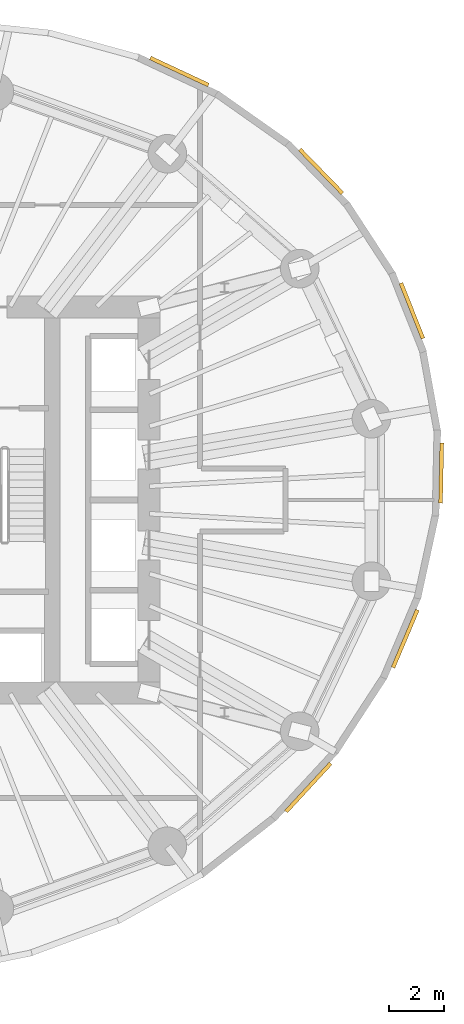
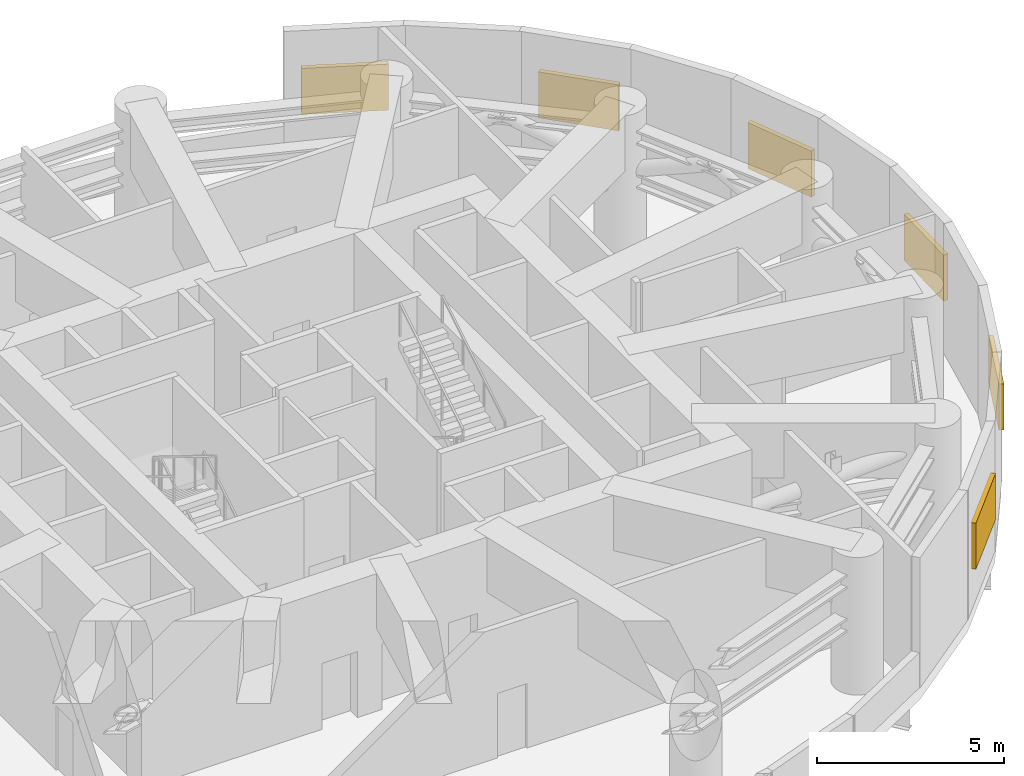
# One storey, part 8 of 8: 6 shading devices.
"""IFC4 building model written with IfcOpenShell, lengths in metres."""

from ifc_helpers import new_model, si_unit, direction, frame, origin, origin_2d, place, context, subcontext, project, spatial, rectangle, extrude, material, layer, layer_set, type_object, element, save


model = new_model("IFC4")

# Units and contexts
model_context = context("Model", 3, precision=1e-05, world=origin(), true_north=direction((0.0, 1.0)))
body_context = subcontext(model_context, "Body", "Model", "MODEL_VIEW")
ifc_project = project(units=[si_unit("LENGTHUNIT", "METRE"), si_unit("AREAUNIT", "SQUARE_METRE"), si_unit("VOLUMEUNIT", "CUBIC_METRE"), si_unit("PLANEANGLEUNIT", "RADIAN"), si_unit("MASSUNIT", "GRAM", prefix="KILO")], contexts=[model_context])

# Site, building, storey
site_placement = place(None, origin())
site = spatial("IfcSite", under=ifc_project, at=site_placement, CompositionType="ELEMENT")
building_placement = place(site_placement, origin())
building = spatial("IfcBuilding", under=site, at=building_placement, Name="Veldorim Arch Residences", CompositionType="ELEMENT")
storey_placement = place(building_placement, frame((0.0, 0.0, 66.39990234375)))
storey = spatial("IfcBuildingStorey", under=building, at=storey_placement, Name="L19", CompositionType="ELEMENT", Elevation=66.39990234375)

# Shading devices
ifc_material = material(Name="Aluminium", Category="aluminium")
ifc_layer = layer(ifc_material, 0.14990234375, Name="Acoustic Stormproof Plant Louvre Bank")
ifc_layer_set = layer_set([ifc_layer], Name="Aluminium")
shading_device_type = type_object("IfcShadingDeviceType", Name="Acoustic Stormproof Plant Louvre Bank", PredefinedType="JALOUSIE", material=ifc_layer_set)
shading_device_1_placement = place(storey_placement, frame((50.537353515625, 30.86083984375, 1.35009765625), z_axis=(0.0, 0.0, 1.0), x_axis=(0.369908915867, -0.9290680244, 0.0)))
element("IfcShadingDevice", 1, at=shading_device_1_placement, inside=storey, type_object=shading_device_type, Name="L19 plant stormproof acoustic louvre 00", PredefinedType="JALOUSIE", context=body_context, shape_type="SweptSolid", body=[
    extrude(rectangle(XDim=2.160888671875, YDim=0.139892578125, at=origin_2d()), origin(), (0.0, 0.0, 1.0), 1.5),
])
shading_device_2_placement = place(storey_placement, frame((47.239501953125, 35.91943359375, 1.35009765625), z_axis=(0.0, 0.0, 1.0), x_axis=(0.697039967731, -0.717032274995, 0.0)))
element("IfcShadingDevice", 2, at=shading_device_2_placement, inside=storey, type_object=shading_device_type, Name="L19 plant stormproof acoustic louvre 02", PredefinedType="JALOUSIE", context=body_context, shape_type="SweptSolid", body=[
    extrude(rectangle(XDim=2.219970703125, YDim=0.139892578125, at=origin_2d()), origin(), (0.0, 0.0, 1.0), 1.5),
])
shading_device_3_placement = place(storey_placement, frame((42.103759765625, 39.538330078125, 1.35009765625), z_axis=(0.0, 0.0, 1.0), x_axis=(0.906160210221, -0.422934597085, 0.0)))
element("IfcShadingDevice", 3, at=shading_device_3_placement, inside=storey, type_object=shading_device_type, Name="L19 plant stormproof acoustic louvre 04", PredefinedType="JALOUSIE", context=body_context, shape_type="SweptSolid", body=[
    extrude(rectangle(XDim=2.327880859375, YDim=0.139892578125, at=origin_2d()), origin(), (0.0, 0.0, 1.0), 1.5),
])
shading_device_4_placement = place(storey_placement, frame((46.781005859375, 13.575439453125, 1.35009765625), z_axis=(0.0, 0.0, 1.0), x_axis=(-0.678544377272, -0.734559410853, 0.0)))
element("IfcShadingDevice", 4, at=shading_device_4_placement, inside=storey, type_object=shading_device_type, Name="L19 plant stormproof acoustic louvre 30", PredefinedType="JALOUSIE", context=body_context, shape_type="SweptSolid", body=[
    extrude(rectangle(XDim=2.383056640625, YDim=0.139892578125, at=origin_2d()), origin(), (0.0, 0.0, 1.0), 1.5),
])
shading_device_5_placement = place(storey_placement, frame((50.292236328125, 18.97021484375, 1.35009765625), z_axis=(0.0, 0.0, 1.0), x_axis=(-0.389284721396, -0.921117476594, 0.0)))
element("IfcShadingDevice", 5, at=shading_device_5_placement, inside=storey, type_object=shading_device_type, Name="L19 plant stormproof acoustic louvre 32", PredefinedType="JALOUSIE", context=body_context, shape_type="SweptSolid", body=[
    extrude(rectangle(XDim=2.27099609375, YDim=0.139892578125, at=origin_2d()), origin(), (0.0, 0.0, 1.0), 1.5),
])
shading_device_6_placement = place(storey_placement, frame((51.597412109375, 24.973876953125, 1.35009765625), z_axis=(0.0, 0.0, 1.0), x_axis=(-0.02059342932, -0.999787932848, 0.0)))
element("IfcShadingDevice", 6, at=shading_device_6_placement, inside=storey, type_object=shading_device_type, Name="L19 plant stormproof acoustic louvre 34", PredefinedType="JALOUSIE", context=body_context, shape_type="SweptSolid", body=[
    extrude(rectangle(XDim=2.181884765625, YDim=0.139892578125, at=origin_2d()), origin(), (0.0, 0.0, 1.0), 1.5),
])

save(model, "model.ifc")
